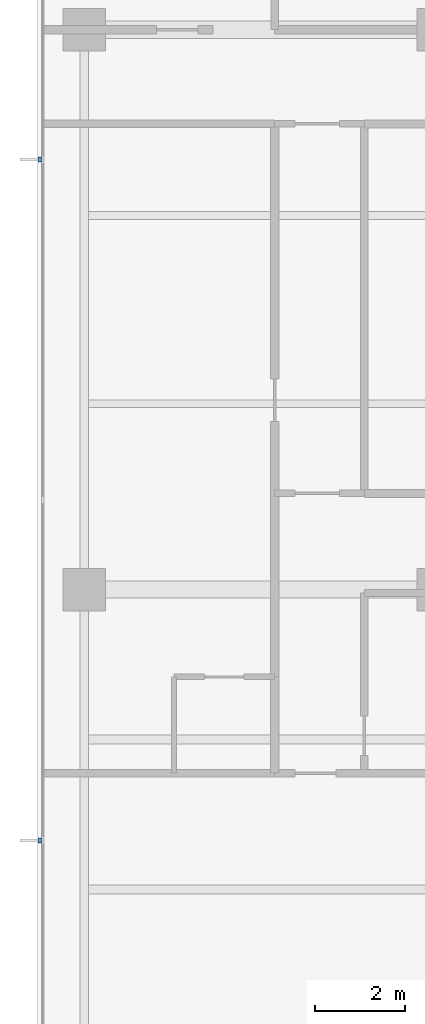
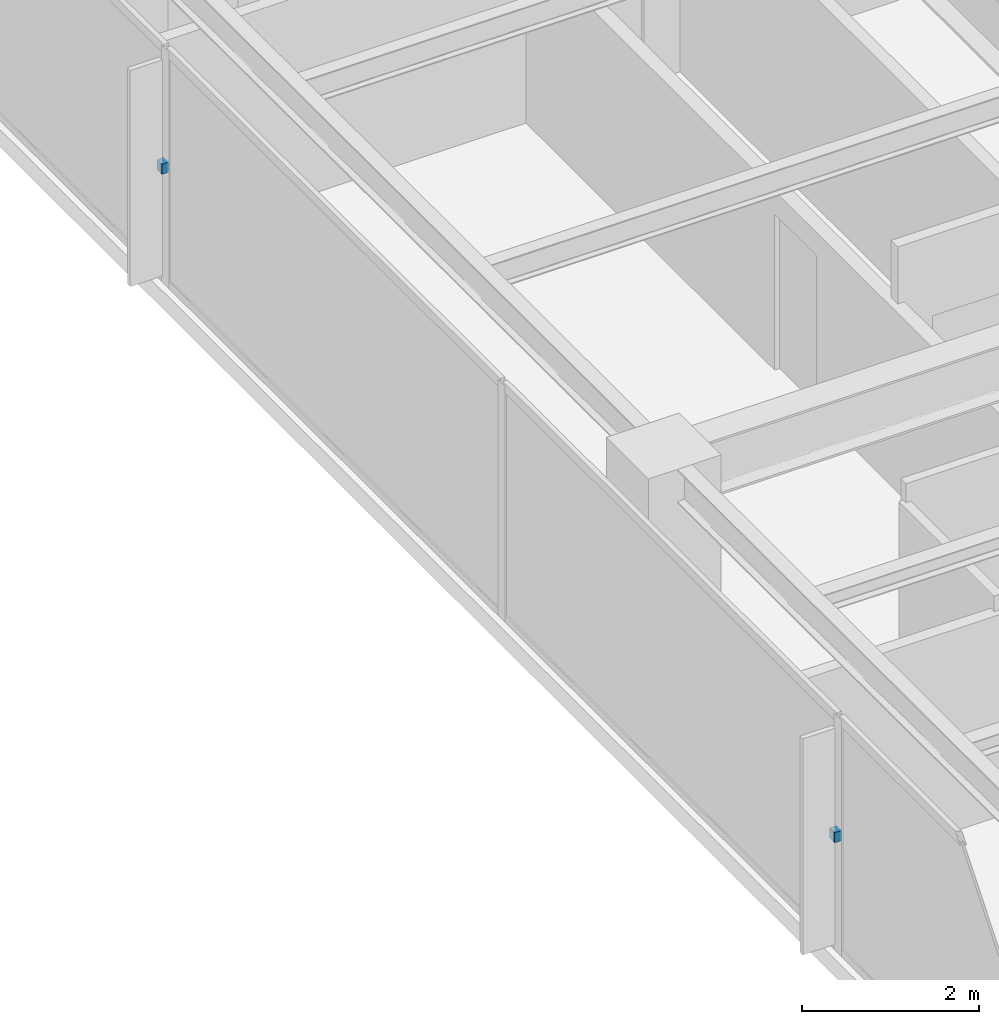
# One storey, part 11 of 14: 2 discrete accessories.
"""IFC4 building model written with IfcOpenShell, lengths in metres."""

from ifc_helpers import new_model, si_unit, direction, frame, origin, place, context, subcontext, project, spatial, polyline, outline, extrude, material, type_object, element, save


model = new_model("IFC4")

# Units and contexts
model_context = context("Model", 3, precision=1e-05, world=origin(), true_north=direction((0.0, 1.0)))
body_context = subcontext(model_context, "Body", "Model", "MODEL_VIEW")
ifc_project = project(units=[si_unit("LENGTHUNIT", "METRE"), si_unit("AREAUNIT", "SQUARE_METRE"), si_unit("VOLUMEUNIT", "CUBIC_METRE"), si_unit("PLANEANGLEUNIT", "RADIAN"), si_unit("MASSUNIT", "GRAM", prefix="KILO")], contexts=[model_context])

# Site, building, storey
site_placement = place(None, origin())
site = spatial("IfcSite", under=ifc_project, at=site_placement, CompositionType="ELEMENT")
building_placement = place(site_placement, origin())
building = spatial("IfcBuilding", under=site, at=building_placement, Name="Qalmaran Belvedere Hotel", CompositionType="ELEMENT")
storey_placement = place(building_placement, frame((0.0, 0.0, 235.39990234375)))
storey = spatial("IfcBuildingStorey", under=building, at=storey_placement, Name="L60", CompositionType="ELEMENT", Elevation=235.39990234375)

# Discrete accessories
ifc_material = material(Name="Stainless Steel 1.4401", Category="steel")
discrete_accessory_type = type_object("IfcDiscreteAccessoryType", Name="BRK-FIN-SS316", PredefinedType="BRACKET", material=ifc_material)
discrete_accessory_1_placement = place(storey_placement, frame((0.0, 0.0, 1.580078125)))
element("IfcDiscreteAccessory", 1, at=discrete_accessory_1_placement, inside=storey, type_object=discrete_accessory_type, Name="L60 Fin Bracket 1", PredefinedType="BRACKET", context=body_context, shape_type="SweptSolid", body=[
    extrude(outline(polyline([(11.455078125, 30.155029296875), (11.362548828125, 30.155029296875), (11.362548828125, 30.044921875), (11.455078125, 30.044921875), (11.455078125, 30.155029296875)])), origin(), (0.0, 0.0, 1.0), 0.14013671875),
])
discrete_accessory_2_placement = place(storey_placement, frame((0.0, 0.0, 1.580078125)))
element("IfcDiscreteAccessory", 2, at=discrete_accessory_2_placement, inside=storey, type_object=discrete_accessory_type, Name="L60 Fin Bracket 3", PredefinedType="BRACKET", context=body_context, shape_type="SweptSolid", body=[
    extrude(outline(polyline([(11.455078125, 14.955078125), (11.362548828125, 14.955078125), (11.362548828125, 14.844970703125), (11.455078125, 14.844970703125), (11.455078125, 14.955078125)])), origin(), (0.0, 0.0, 1.0), 0.14013671875),
])

save(model, "model.ifc")
